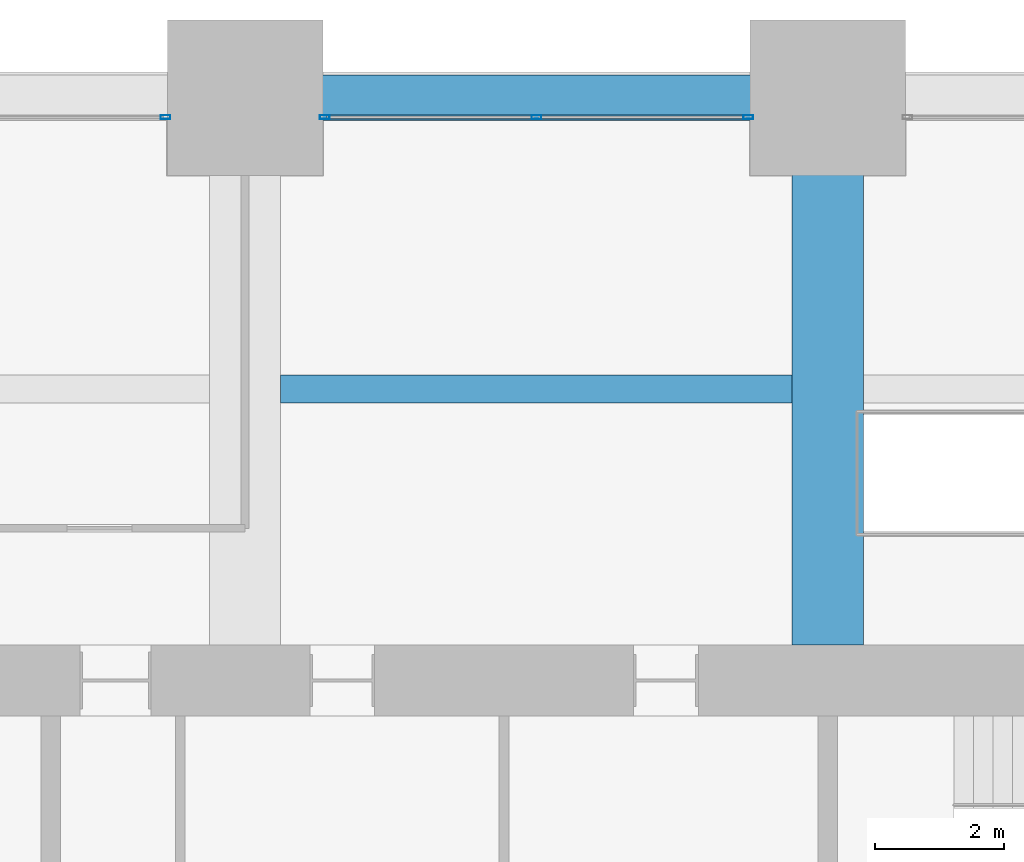
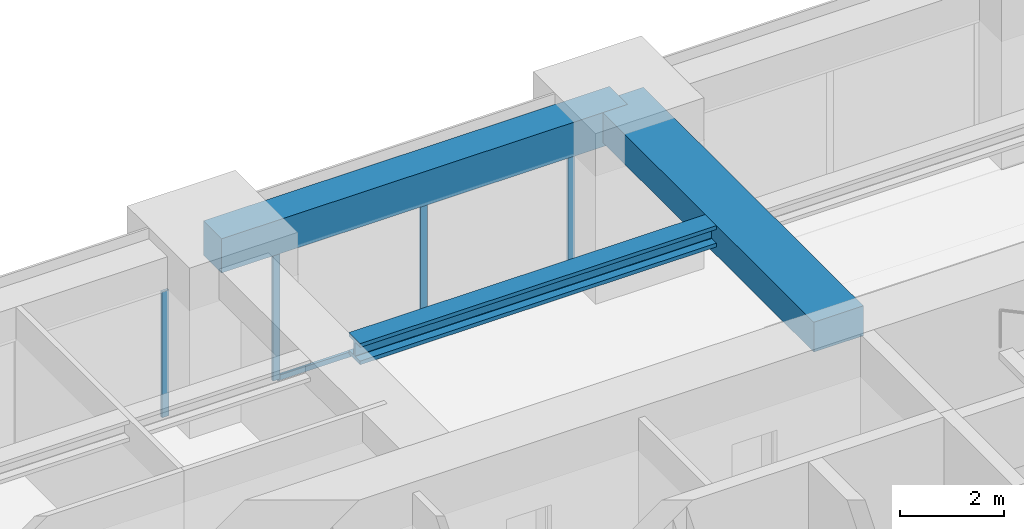
# One storey, part 29 of 41: 5 members, 3 beams, 2 elements without a shape of their own.
"""IFC4 building model written with IfcOpenShell, lengths in metres."""

from ifc_helpers import new_model, si_unit, direction, frame, origin, origin_2d, place, context, subcontext, project, spatial, rectangle, hollow_rectangle, i_section, extrude, material, material_profile, profile_set, type_object, element, aggregate, save


model = new_model("IFC4")

# Units and contexts
model_context = context("Model", 3, precision=1e-05, world=origin(), true_north=direction((0.0, 1.0)))
body_context = subcontext(model_context, "Body", "Model", "MODEL_VIEW")
ifc_project = project(units=[si_unit("LENGTHUNIT", "METRE"), si_unit("AREAUNIT", "SQUARE_METRE"), si_unit("VOLUMEUNIT", "CUBIC_METRE"), si_unit("PLANEANGLEUNIT", "RADIAN"), si_unit("MASSUNIT", "GRAM", prefix="KILO")], contexts=[model_context])

# Site, building, storey
site_placement = place(None, origin())
site = spatial("IfcSite", under=ifc_project, at=site_placement, CompositionType="ELEMENT")
building_placement = place(site_placement, origin())
building = spatial("IfcBuilding", under=site, at=building_placement, Name="Zorevar Civic Tower", CompositionType="ELEMENT")
storey_placement = place(building_placement, frame((0.0, 0.0, 101.0)))
storey = spatial("IfcBuildingStorey", under=building, at=storey_placement, Name="L24", CompositionType="ELEMENT", Elevation=101.0)

# Beam
ifc_material_1 = material(Name="Concrete C50/60", Category="concrete")
ifc_material_profile_1 = material_profile(ifc_material_1, rectangle(XDim=1.10009765625, YDim=0.699951171875, at=origin_2d()), Name="RC 1100x700")
ifc_profile_set_1 = profile_set([ifc_material_profile_1], Name="Concrete C50/60")
beam_type_1 = type_object("IfcBeamType", Name="Beam RC 1100x700", PredefinedType="BEAM", material=ifc_profile_set_1)
beam_1_placement = place(storey_placement, frame((36.0, 36.550048828125, 3.39990234375), z_axis=(0.0, 1.0, 0.0), x_axis=(-1.0, 0.0, 0.0)))
element("IfcBeam", 1, at=beam_1_placement, inside=storey, type_object=beam_type_1, Name="Girder L25", PredefinedType="BEAM", context=body_context, shape_type="SweptSolid", body=[
    extrude(rectangle(XDim=1.10009765625, YDim=0.699951171875, at=origin_2d()), origin(), (0.0, 0.0, 1.0), 8.449951171875),
])

# Curtain wall, member
ifc_material_2 = material(Name="Dark grey solar-control glass in black aluminium frame", Category="aluminium")
curtain_wall_type = type_object("IfcCurtainWallType", Name="Curtain wall CW3 mid zone", PredefinedType="NOTDEFINED", material=ifc_material_2)
curtain_wall_1_placement = place(storey_placement, origin())
curtain_wall_1 = element("IfcCurtainWall", 2, at=curtain_wall_1_placement, inside=storey, type_object=curtain_wall_type, Name="CW3 L24", PredefinedType="NOTDEFINED")
ifc_material_3 = material(Name="Aluminium, black anodised", Category="aluminium")
ifc_material_profile_2 = material_profile(ifc_material_3, hollow_rectangle(XDim=0.06005859375, YDim=0.14990234375, WallThickness=0.00390625, at=origin_2d()), Name="AL 150x60x4")
ifc_profile_set_2 = profile_set([ifc_material_profile_2], Name="Aluminium, black anodised")
member_type_1 = type_object("IfcMemberType", Name="CW3 mullion AL 150x60x4", PredefinedType="MULLION", material=ifc_profile_set_2)
member_1_placement = place(storey_placement, frame((25.77001953125, 44.699951171875, 0.0), z_axis=(0.0, 0.0, 1.0), x_axis=(0.0, 1.0, 0.0)))
member_1 = element("IfcMember", 3, at=member_1_placement, type_object=member_type_1, Name="CW3 mullion 3", PredefinedType="MULLION", context=body_context, shape_type="SweptSolid", body=[
    extrude(hollow_rectangle(XDim=0.06005859375, YDim=0.14990234375, WallThickness=0.00390625, at=origin_2d()), origin(), (0.0, 0.0, 1.0), 2.949951171875),
])
aggregate(curtain_wall_1, [member_1])

# Curtain wall, members
curtain_wall_2_placement = place(storey_placement, origin())
curtain_wall_2 = element("IfcCurtainWall", 4, at=curtain_wall_2_placement, inside=storey, type_object=curtain_wall_type, Name="CW3 L24", PredefinedType="NOTDEFINED")
member_2_placement = place(storey_placement, frame((28.22998046875, 44.699951171875, 0.0), z_axis=(0.0, 0.0, 1.0), x_axis=(0.0, 1.0, 0.0)))
member_2 = element("IfcMember", 5, at=member_2_placement, type_object=member_type_1, Name="CW3 mullion 1", PredefinedType="MULLION", context=body_context, shape_type="SweptSolid", body=[
    extrude(hollow_rectangle(XDim=0.06005859375, YDim=0.14990234375, WallThickness=0.00390625, at=origin_2d()), origin(), (0.0, 0.0, 1.0), 2.949951171875),
])
member_3_placement = place(storey_placement, frame((31.5, 44.699951171875, 0.06005859375), z_axis=(0.0, 0.0, 1.0), x_axis=(0.0, 1.0, 0.0)))
member_3 = element("IfcMember", 6, at=member_3_placement, type_object=member_type_1, Name="CW3 mullion 2", PredefinedType="MULLION", context=body_context, shape_type="SweptSolid", body=[
    extrude(hollow_rectangle(XDim=0.06005859375, YDim=0.14990234375, WallThickness=0.00390625, at=origin_2d()), origin(), (0.0, 0.0, 1.0), 2.889892578125),
])
member_4_placement = place(storey_placement, frame((34.77001953125, 44.699951171875, 0.0), z_axis=(0.0, 0.0, 1.0), x_axis=(0.0, 1.0, 0.0)))
member_4 = element("IfcMember", 7, at=member_4_placement, type_object=member_type_1, Name="CW3 mullion 3", PredefinedType="MULLION", context=body_context, shape_type="SweptSolid", body=[
    extrude(hollow_rectangle(XDim=0.06005859375, YDim=0.14990234375, WallThickness=0.00390625, at=origin_2d()), origin(), (0.0, 0.0, 1.0), 2.949951171875),
])
ifc_material_4 = material(Name="Aluminium, black anodised", Category="aluminium")
ifc_material_profile_3 = material_profile(ifc_material_4, hollow_rectangle(XDim=0.06005859375, YDim=0.1201171875, WallThickness=0.0029296875, at=origin_2d()), Name="AL 120x60x3")
ifc_profile_set_3 = profile_set([ifc_material_profile_3], Name="Aluminium, black anodised")
member_type_2 = type_object("IfcMemberType", Name="CW3 transom AL 120x60x3", PredefinedType="USERDEFINED", material=ifc_profile_set_3)
member_5_placement = place(storey_placement, frame((28.260009765625, 44.699951171875, 0.030029296875), z_axis=(1.0, 0.0, 0.0), x_axis=(0.0, 1.0, 0.0)))
member_5 = element("IfcMember", 8, at=member_5_placement, type_object=member_type_2, Name="CW3 sill transom", ObjectType="TRANSOM", PredefinedType="USERDEFINED", context=body_context, shape_type="SweptSolid", body=[
    extrude(hollow_rectangle(XDim=0.06005859375, YDim=0.1201171875, WallThickness=0.0029296875, at=origin_2d()), origin(), (0.0, 0.0, 1.0), 6.47998046875),
])
aggregate(curtain_wall_2, [member_2, member_3, member_4, member_5])

# Beams
ifc_material_5 = material(Name="Steel S460M (HISTAR 460)", Category="steel")
ifc_material_profile_4 = material_profile(ifc_material_5, i_section(OverallWidth=0.431884765625, OverallDepth=0.498046875, WebThickness=0.0556640625, FlangeThickness=0.0888671875, FilletRadius=0.014892578125, at=origin_2d()), Name="HD 400x744")
ifc_profile_set_4 = profile_set([ifc_material_profile_4], Name="Steel S460M (HISTAR 460)")
beam_type_2 = type_object("IfcBeamType", Name="Core bay beam HD 400x744", PredefinedType="BEAM", material=ifc_profile_set_4)
beam_2_placement = place(storey_placement, frame((27.550048828125, 40.5, 3.5009765625), z_axis=(1.0, 0.0, 0.0), x_axis=(0.0, 1.0, 0.0)))
element("IfcBeam", 9, at=beam_2_placement, inside=storey, type_object=beam_type_2, Name="Secondary beam L25", PredefinedType="BEAM", context=body_context, shape_type="SweptSolid", body=[
    extrude(i_section(OverallWidth=0.431884765625, OverallDepth=0.498046875, WebThickness=0.0556640625, FlangeThickness=0.0888671875, FilletRadius=0.014892578125, at=origin_2d()), origin(), (0.0, 0.0, 1.0), 7.89990234375),
])
ifc_material_6 = material(Name="Concrete C50/60", Category="concrete")
ifc_material_profile_5 = material_profile(ifc_material_6, rectangle(XDim=0.699951171875, YDim=0.800048828125, at=origin_2d()), Name="RC 700x800")
ifc_profile_set_5 = profile_set([ifc_material_profile_5], Name="Concrete C50/60")
beam_type_3 = type_object("IfcBeamType", Name="Edge beam RC 700x800", PredefinedType="SPANDREL", material=ifc_profile_set_5)
beam_3_placement = place(storey_placement, frame((27.0, 45.0, 3.35009765625), z_axis=(1.0, 0.0, 0.0), x_axis=(0.0, 1.0, 0.0)))
element("IfcBeam", 10, at=beam_3_placement, inside=storey, type_object=beam_type_3, Name="Edge beam L25", PredefinedType="SPANDREL", context=body_context, shape_type="SweptSolid", body=[
    extrude(rectangle(XDim=0.699951171875, YDim=0.800048828125, at=origin_2d()), origin(), (0.0, 0.0, 1.0), 9.0),
])

save(model, "model.ifc")
